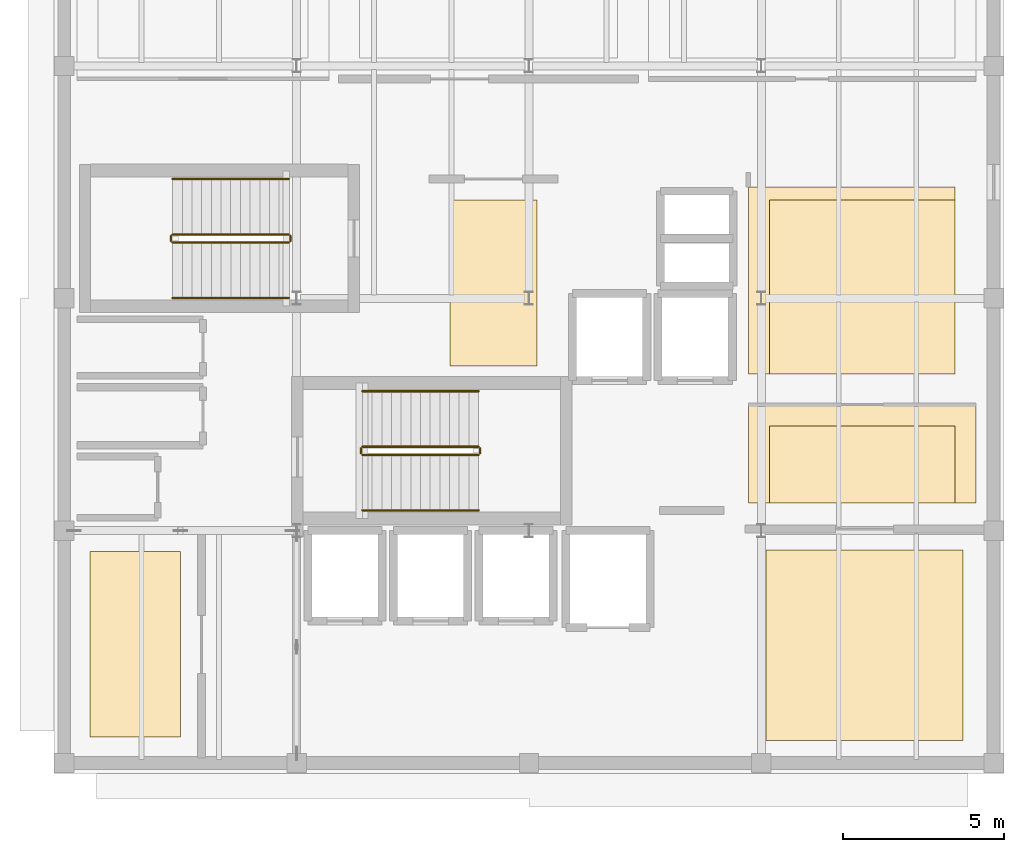
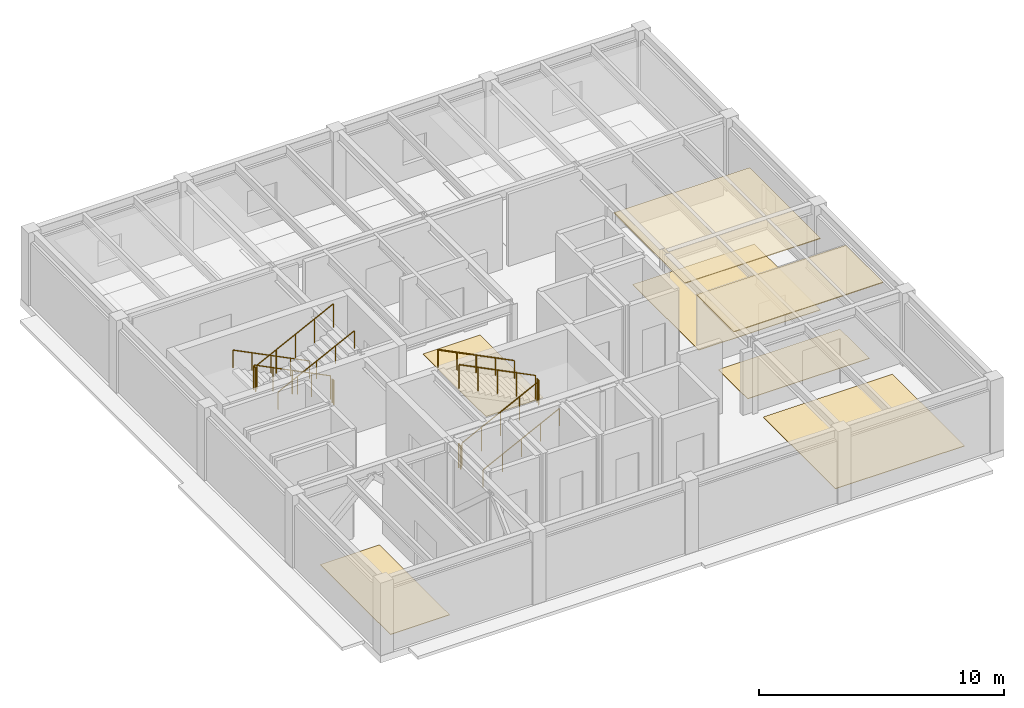
# One storey, part 7 of 8: 12 railings, 7 coverings.
"""IFC4 building model written with IfcOpenShell, lengths in metres."""

from ifc_helpers import new_model, si_unit, direction, frame, origin, origin_2d, place, context, subcontext, project, spatial, polyline, circle, outline, extrude, material, layer, layer_set, type_object, element, save


model = new_model("IFC4")

# Units and contexts
model_context = context("Model", 3, precision=1e-05, world=origin(), true_north=direction((0.0, 1.0)))
body_context = subcontext(model_context, "Body", "Model", "MODEL_VIEW")
ifc_project = project(units=[si_unit("LENGTHUNIT", "METRE"), si_unit("AREAUNIT", "SQUARE_METRE"), si_unit("VOLUMEUNIT", "CUBIC_METRE"), si_unit("PLANEANGLEUNIT", "RADIAN"), si_unit("MASSUNIT", "GRAM", prefix="KILO")], contexts=[model_context])

# Site, building, storey
site_placement = place(None, origin())
site = spatial("IfcSite", under=ifc_project, at=site_placement, CompositionType="ELEMENT")
building_placement = place(site_placement, origin())
building = spatial("IfcBuilding", under=site, at=building_placement, Name="Kandorven Conservatory and Botanical Research Centre", CompositionType="ELEMENT")
storey_placement = place(building_placement, frame((0.0, 0.0, 36.60009765625)))
storey = spatial("IfcBuildingStorey", under=building, at=storey_placement, Name="L09", CompositionType="ELEMENT", Elevation=36.60009765625)

# Coverings
ifc_material_1 = material(Name="Perforated mineral-fibre acoustic ceiling tile", Category="gypsum")
ifc_layer_1 = layer(ifc_material_1, 0.0400390625)
ifc_layer_set_1 = layer_set([ifc_layer_1], Name="Perforated mineral-fibre acoustic ceiling tile")
covering_type_1 = type_object("IfcCoveringType", Name="Cov_Ceiling_1", PredefinedType="CEILING", material=ifc_layer_set_1)
covering_1_placement = place(storey_placement, frame((0.0, 0.0, 3.559814453125)))
element("IfcCovering", 1, at=covering_1_placement, inside=storey, type_object=covering_type_1, Name="Suspended acoustic ceiling CLG-01 (Flora Taxonomy Microscopy Laboratory L09)", PredefinedType="CEILING", context=body_context, shape_type="SweptSolid", body=[
    extrude(outline(polyline([(27.199951171875, 14.050048828125), (34.25, 14.050048828125), (34.25, 17.10009765625), (27.199951171875, 17.10009765625), (27.199951171875, 14.050048828125)])), origin(), (0.0, 0.0, 1.0), 0.0400390625),
])
covering_2_placement = place(storey_placement, frame((0.0, 0.0, 3.559814453125)))
element("IfcCovering", 2, at=covering_2_placement, inside=storey, type_object=covering_type_1, Name="Suspended acoustic ceiling CLG-01 (Herbarium Digitisation and Imaging Studio L09)", PredefinedType="CEILING", context=body_context, shape_type="SweptSolid", body=[
    extrude(outline(polyline([(27.199951171875, 18.050048828125), (33.60009765625, 18.050048828125), (33.60009765625, 23.85009765625), (27.199951171875, 23.85009765625), (27.199951171875, 18.050048828125)])), origin(), (0.0, 0.0, 1.0), 0.0400390625),
])
ifc_material_2 = material(Name="Honed Kota stone and epoxy laboratory flooring", Category="masonry")
ifc_layer_2 = layer(ifc_material_2, 0.02490234375)
ifc_layer_set_2 = layer_set([ifc_layer_2], Name="Honed Kota stone and epoxy laboratory flooring")
covering_type_2 = type_object("IfcCoveringType", Name="Cov_Flooring_1", PredefinedType="FLOORING", material=ifc_layer_set_2)
covering_3_placement = place(storey_placement, origin())
element("IfcCovering", 3, at=covering_3_placement, inside=storey, type_object=covering_type_2, Name="Floor finish FLR-01 (Herbarium Bryophyte Collection Vault L09)", PredefinedType="FLOORING", context=body_context, shape_type="SweptSolid", body=[
    extrude(outline(polyline([(17.949951171875, 18.300048828125), (20.64990234375, 18.300048828125), (20.64990234375, 23.449951171875), (17.949951171875, 23.449951171875), (17.949951171875, 18.300048828125)])), origin(), (0.0, 0.0, 1.0), 0.02490234375),
])
covering_4_placement = place(storey_placement, origin())
element("IfcCovering", 4, at=covering_4_placement, inside=storey, type_object=covering_type_2, Name="Floor finish FLR-01 (Flora Taxonomy Microscopy Laboratory L09)", PredefinedType="FLOORING", context=body_context, shape_type="SweptSolid", body=[
    extrude(outline(polyline([(27.85009765625, 14.050048828125), (33.60009765625, 14.050048828125), (33.60009765625, 16.449951171875), (27.85009765625, 16.449951171875), (27.85009765625, 14.050048828125)])), origin(), (0.0, 0.0, 1.0), 0.02490234375),
])
covering_5_placement = place(storey_placement, origin())
element("IfcCovering", 5, at=covering_5_placement, inside=storey, type_object=covering_type_2, Name="Floor finish FLR-01 (Herbarium Type Specimen Vault L09)", PredefinedType="FLOORING", context=body_context, shape_type="SweptSolid", body=[
    extrude(outline(polyline([(6.800048828125, 6.800048828125), (9.60009765625, 6.800048828125), (9.60009765625, 12.550048828125), (6.800048828125, 12.550048828125), (6.800048828125, 6.800048828125)])), origin(), (0.0, 0.0, 1.0), 0.02490234375),
])
covering_6_placement = place(storey_placement, origin())
element("IfcCovering", 6, at=covering_6_placement, inside=storey, type_object=covering_type_2, Name="Floor finish FLR-01 (Compact Mobile Shelving Herbarium Vault)", PredefinedType="FLOORING", context=body_context, shape_type="SweptSolid", body=[
    extrude(outline(polyline([(27.75, 6.699951171875), (33.85009765625, 6.699951171875), (33.85009765625, 12.60009765625), (27.75, 12.60009765625), (27.75, 6.699951171875)])), origin(), (0.0, 0.0, 1.0), 0.02490234375),
])
covering_7_placement = place(storey_placement, origin())
element("IfcCovering", 7, at=covering_7_placement, inside=storey, type_object=covering_type_2, Name="Floor finish FLR-01 (Herbarium Digitisation and Imaging Studio L09)", PredefinedType="FLOORING", context=body_context, shape_type="SweptSolid", body=[
    extrude(outline(polyline([(27.85009765625, 18.050048828125), (33.60009765625, 18.050048828125), (33.60009765625, 23.449951171875), (27.85009765625, 23.449951171875), (27.85009765625, 18.050048828125)])), origin(), (0.0, 0.0, 1.0), 0.02490234375),
])

# Railings
ifc_material_3 = material(Name="Steel S355 (IS 2062 E350)", Category="steel")
railing_type_1 = type_object("IfcRailingType", Name="StairGuard_1150", PredefinedType="BALUSTRADE", material=ifc_material_3)
railing_1_placement = place(storey_placement, frame((15.239990234375, 15.550048828125, 0.14990234375)))
element("IfcRailing", 8, at=railing_1_placement, inside=storey, type_object=railing_type_1, Name="L09 ST-T1 stair guard 1", PredefinedType="BALUSTRADE", context=body_context, shape_type="SweptSolid", body=[
    extrude(circle(Radius=0.02392578125, at=origin_2d()), frame((0.0, 0.0, 1.17578125), z_axis=(0.894427191, 0.0, 0.4472135955), x_axis=(0.0, 1.0, 0.0)), (0.0, 0.0, 1.0), 4.025146484375),
    extrude(circle(Radius=0.02099609375, at=origin_2d()), origin(), (0.0, 0.0, 1.0), 1.15185546875),
    extrude(circle(Radius=0.02099609375, at=origin_2d()), frame((0.89990234375, 0.0, 0.449951171875)), (0.0, 0.0, 1.0), 1.15185546875),
    extrude(circle(Radius=0.02099609375, at=origin_2d()), frame((1.800048828125, 0.0, 0.89990234375)), (0.0, 0.0, 1.0), 1.15185546875),
    extrude(circle(Radius=0.02099609375, at=origin_2d()), frame((2.7001953125, 0.0, 1.35009765625)), (0.0, 0.0, 1.0), 1.15185546875),
    extrude(circle(Radius=0.02099609375, at=origin_2d()), frame((3.60009765625, 0.0, 1.800048828125)), (0.0, 0.0, 1.0), 1.15185546875),
])
railing_2_placement = place(storey_placement, frame((18.889892578125, 15.60009765625, 1.949951171875)))
element("IfcRailing", 9, at=railing_2_placement, inside=storey, type_object=railing_type_1, Name="L09 ST-T1 stair guard 2", PredefinedType="BALUSTRADE", context=body_context, shape_type="SweptSolid", body=[
    extrude(circle(Radius=0.02392578125, at=origin_2d()), frame((0.0, 0.0, 1.17578125), z_axis=(0.0, 1.0, 0.0), x_axis=(-1.0, 0.0, 0.0)), (0.0, 0.0, 1.0), 0.14990234375),
    extrude(circle(Radius=0.02099609375, at=origin_2d()), origin(), (0.0, 0.0, 1.0), 1.15185546875),
    extrude(circle(Radius=0.02099609375, at=origin_2d()), frame((0.0, 0.14990234375, 0.0)), (0.0, 0.0, 1.0), 1.15185546875),
])
railing_3_placement = place(storey_placement, frame((18.840087890625, 15.800048828125, 2.099853515625)))
element("IfcRailing", 10, at=railing_3_placement, inside=storey, type_object=railing_type_1, Name="L09 ST-T1 stair guard 3", PredefinedType="BALUSTRADE", context=body_context, shape_type="SweptSolid", body=[
    extrude(circle(Radius=0.02392578125, at=origin_2d()), frame((0.0, 0.0, 1.17578125), z_axis=(-0.894427191, 0.0, 0.4472135955), x_axis=(0.0, -1.0, 0.0)), (0.0, 0.0, 1.0), 4.025146484375),
    extrude(circle(Radius=0.02099609375, at=origin_2d()), origin(), (0.0, 0.0, 1.0), 1.15185546875),
    extrude(circle(Radius=0.02099609375, at=origin_2d()), frame((-0.89990234375, 0.0, 0.449951171875)), (0.0, 0.0, 1.0), 1.15185546875),
    extrude(circle(Radius=0.02099609375, at=origin_2d()), frame((-1.800048828125, 0.0, 0.89990234375)), (0.0, 0.0, 1.0), 1.15185546875),
    extrude(circle(Radius=0.02099609375, at=origin_2d()), frame((-2.7001953125, 0.0, 1.35009765625)), (0.0, 0.0, 1.0), 1.15185546875),
    extrude(circle(Radius=0.02099609375, at=origin_2d()), frame((-3.60009765625, 0.0, 1.800048828125)), (0.0, 0.0, 1.0), 1.15185546875),
])
railing_4_placement = place(storey_placement, frame((15.18994140625, 15.60009765625, 0.0)))
element("IfcRailing", 11, at=railing_4_placement, inside=storey, type_object=railing_type_1, Name="L09 ST-T1 stair guard 4", PredefinedType="BALUSTRADE", context=body_context, shape_type="SweptSolid", body=[
    extrude(circle(Radius=0.02392578125, at=origin_2d()), frame((0.0, 0.0, 1.17578125), z_axis=(0.0, 1.0, 0.0), x_axis=(-1.0, 0.0, 0.0)), (0.0, 0.0, 1.0), 0.14990234375),
    extrude(circle(Radius=0.02099609375, at=origin_2d()), origin(), (0.0, 0.0, 1.0), 1.15185546875),
    extrude(circle(Radius=0.02099609375, at=origin_2d()), frame((0.0, 0.14990234375, 0.0)), (0.0, 0.0, 1.0), 1.15185546875),
])
railing_5_placement = place(storey_placement, frame((12.9599609375, 22.3798828125, 0.14990234375)))
element("IfcRailing", 12, at=railing_5_placement, inside=storey, type_object=railing_type_1, Name="L09 ST-T2 stair guard 1", PredefinedType="BALUSTRADE", context=body_context, shape_type="SweptSolid", body=[
    extrude(circle(Radius=0.02392578125, at=origin_2d()), frame((0.0, 0.0, 1.17578125), z_axis=(-0.894415058897, 0.0, 0.447237858884), x_axis=(0.0, -1.0, 0.0)), (0.0, 0.0, 1.0), 4.02490234375),
    extrude(circle(Radius=0.02099609375, at=origin_2d()), origin(), (0.0, 0.0, 1.0), 1.15185546875),
    extrude(circle(Radius=0.02099609375, at=origin_2d()), frame((-0.89990234375, 0.0, 0.449951171875)), (0.0, 0.0, 1.0), 1.15185546875),
    extrude(circle(Radius=0.02099609375, at=origin_2d()), frame((-1.7998046875, 0.0, 0.89990234375)), (0.0, 0.0, 1.0), 1.15185546875),
    extrude(circle(Radius=0.02099609375, at=origin_2d()), frame((-2.699951171875, 0.0, 1.35009765625)), (0.0, 0.0, 1.0), 1.15185546875),
    extrude(circle(Radius=0.02099609375, at=origin_2d()), frame((-3.599853515625, 0.0, 1.800048828125)), (0.0, 0.0, 1.0), 1.15185546875),
])
railing_6_placement = place(storey_placement, frame((9.31005859375, 22.330078125, 1.949951171875)))
element("IfcRailing", 13, at=railing_6_placement, inside=storey, type_object=railing_type_1, Name="L09 ST-T2 stair guard 2", PredefinedType="BALUSTRADE", context=body_context, shape_type="SweptSolid", body=[
    extrude(circle(Radius=0.02392578125, at=origin_2d()), frame((0.0, 0.0, 1.17578125), z_axis=(0.0, -1.0, 0.0), x_axis=(1.0, 0.0, 0.0)), (0.0, 0.0, 1.0), 0.150146484375),
    extrude(circle(Radius=0.02099609375, at=origin_2d()), origin(), (0.0, 0.0, 1.0), 1.15185546875),
    extrude(circle(Radius=0.02099609375, at=origin_2d()), frame((0.0, -0.150146484375, 0.0)), (0.0, 0.0, 1.0), 1.15185546875),
])
railing_7_placement = place(storey_placement, frame((9.360107421875, 22.1298828125, 2.099853515625)))
element("IfcRailing", 14, at=railing_7_placement, inside=storey, type_object=railing_type_1, Name="L09 ST-T2 stair guard 3", PredefinedType="BALUSTRADE", context=body_context, shape_type="SweptSolid", body=[
    extrude(circle(Radius=0.02392578125, at=origin_2d()), frame((0.0, 0.0, 1.17578125), z_axis=(0.894415058897, 0.0, 0.447237858884), x_axis=(0.0, 1.0, 0.0)), (0.0, 0.0, 1.0), 4.02490234375),
    extrude(circle(Radius=0.02099609375, at=origin_2d()), origin(), (0.0, 0.0, 1.0), 1.15185546875),
    extrude(circle(Radius=0.02099609375, at=origin_2d()), frame((0.89990234375, 0.0, 0.449951171875)), (0.0, 0.0, 1.0), 1.15185546875),
    extrude(circle(Radius=0.02099609375, at=origin_2d()), frame((1.7998046875, 0.0, 0.89990234375)), (0.0, 0.0, 1.0), 1.15185546875),
    extrude(circle(Radius=0.02099609375, at=origin_2d()), frame((2.699951171875, 0.0, 1.35009765625)), (0.0, 0.0, 1.0), 1.15185546875),
    extrude(circle(Radius=0.02099609375, at=origin_2d()), frame((3.599853515625, 0.0, 1.800048828125)), (0.0, 0.0, 1.0), 1.15185546875),
])
railing_8_placement = place(storey_placement, frame((13.010009765625, 22.330078125, 0.0)))
element("IfcRailing", 15, at=railing_8_placement, inside=storey, type_object=railing_type_1, Name="L09 ST-T2 stair guard 4", PredefinedType="BALUSTRADE", context=body_context, shape_type="SweptSolid", body=[
    extrude(circle(Radius=0.02392578125, at=origin_2d()), frame((0.0, 0.0, 1.17578125), z_axis=(0.0, -1.0, 0.0), x_axis=(1.0, 0.0, 0.0)), (0.0, 0.0, 1.0), 0.150146484375),
    extrude(circle(Radius=0.02099609375, at=origin_2d()), origin(), (0.0, 0.0, 1.0), 1.15185546875),
    extrude(circle(Radius=0.02099609375, at=origin_2d()), frame((0.0, -0.150146484375, 0.0)), (0.0, 0.0, 1.0), 1.15185546875),
])
ifc_material_4 = material(Name="Steel S355 (IS 2062 E350)", Category="steel")
railing_type_2 = type_object("IfcRailingType", Name="StairHandrail_900", PredefinedType="HANDRAIL", material=ifc_material_4)
railing_9_placement = place(storey_placement, frame((15.239990234375, 13.830078125, 0.14990234375)))
element("IfcRailing", 16, at=railing_9_placement, inside=storey, type_object=railing_type_2, Name="L09 ST-T1 stair handrail 1", PredefinedType="HANDRAIL", context=body_context, shape_type="SweptSolid", body=[
    extrude(circle(Radius=0.02392578125, at=origin_2d()), frame((0.0, 0.0, 0.8759765625), z_axis=(0.894427191, 0.0, 0.4472135955), x_axis=(0.0, 1.0, 0.0)), (0.0, 0.0, 1.0), 4.025146484375),
    extrude(circle(Radius=0.02099609375, at=origin_2d()), origin(), (0.0, 0.0, 1.0), 0.851806640625),
    extrude(circle(Radius=0.02099609375, at=origin_2d()), frame((0.89990234375, 0.0, 0.449951171875)), (0.0, 0.0, 1.0), 0.851806640625),
    extrude(circle(Radius=0.02099609375, at=origin_2d()), frame((1.800048828125, 0.0, 0.89990234375)), (0.0, 0.0, 1.0), 0.851806640625),
    extrude(circle(Radius=0.02099609375, at=origin_2d()), frame((2.7001953125, 0.0, 1.35009765625)), (0.0, 0.0, 1.0), 0.851806640625),
    extrude(circle(Radius=0.02099609375, at=origin_2d()), frame((3.60009765625, 0.0, 1.800048828125)), (0.0, 0.0, 1.0), 0.851806640625),
])
railing_10_placement = place(storey_placement, frame((18.840087890625, 17.52001953125, 2.099853515625)))
element("IfcRailing", 17, at=railing_10_placement, inside=storey, type_object=railing_type_2, Name="L09 ST-T1 stair handrail 2", PredefinedType="HANDRAIL", context=body_context, shape_type="SweptSolid", body=[
    extrude(circle(Radius=0.02392578125, at=origin_2d()), frame((0.0, 0.0, 0.8759765625), z_axis=(-0.894427191, 0.0, 0.4472135955), x_axis=(0.0, -1.0, 0.0)), (0.0, 0.0, 1.0), 4.025146484375),
    extrude(circle(Radius=0.02099609375, at=origin_2d()), origin(), (0.0, 0.0, 1.0), 0.851806640625),
    extrude(circle(Radius=0.02099609375, at=origin_2d()), frame((-0.89990234375, 0.0, 0.449951171875)), (0.0, 0.0, 1.0), 0.851806640625),
    extrude(circle(Radius=0.02099609375, at=origin_2d()), frame((-1.800048828125, 0.0, 0.89990234375)), (0.0, 0.0, 1.0), 0.851806640625),
    extrude(circle(Radius=0.02099609375, at=origin_2d()), frame((-2.7001953125, 0.0, 1.35009765625)), (0.0, 0.0, 1.0), 0.851806640625),
    extrude(circle(Radius=0.02099609375, at=origin_2d()), frame((-3.60009765625, 0.0, 1.800048828125)), (0.0, 0.0, 1.0), 0.851806640625),
])
railing_11_placement = place(storey_placement, frame((12.9599609375, 24.10009765625, 0.14990234375)))
element("IfcRailing", 18, at=railing_11_placement, inside=storey, type_object=railing_type_2, Name="L09 ST-T2 stair handrail 1", PredefinedType="HANDRAIL", context=body_context, shape_type="SweptSolid", body=[
    extrude(circle(Radius=0.02392578125, at=origin_2d()), frame((0.0, 0.0, 0.8759765625), z_axis=(-0.894415058897, 0.0, 0.447237858884), x_axis=(0.0, -1.0, 0.0)), (0.0, 0.0, 1.0), 4.02490234375),
    extrude(circle(Radius=0.02099609375, at=origin_2d()), origin(), (0.0, 0.0, 1.0), 0.851806640625),
    extrude(circle(Radius=0.02099609375, at=origin_2d()), frame((-0.89990234375, 0.0, 0.449951171875)), (0.0, 0.0, 1.0), 0.851806640625),
    extrude(circle(Radius=0.02099609375, at=origin_2d()), frame((-1.7998046875, 0.0, 0.89990234375)), (0.0, 0.0, 1.0), 0.851806640625),
    extrude(circle(Radius=0.02099609375, at=origin_2d()), frame((-2.699951171875, 0.0, 1.35009765625)), (0.0, 0.0, 1.0), 0.851806640625),
    extrude(circle(Radius=0.02099609375, at=origin_2d()), frame((-3.599853515625, 0.0, 1.800048828125)), (0.0, 0.0, 1.0), 0.851806640625),
])
railing_12_placement = place(storey_placement, frame((9.360107421875, 20.409912109375, 2.099853515625)))
element("IfcRailing", 19, at=railing_12_placement, inside=storey, type_object=railing_type_2, Name="L09 ST-T2 stair handrail 2", PredefinedType="HANDRAIL", context=body_context, shape_type="SweptSolid", body=[
    extrude(circle(Radius=0.02392578125, at=origin_2d()), frame((0.0, 0.0, 0.8759765625), z_axis=(0.894415058897, 0.0, 0.447237858884), x_axis=(0.0, 1.0, 0.0)), (0.0, 0.0, 1.0), 4.02490234375),
    extrude(circle(Radius=0.02099609375, at=origin_2d()), origin(), (0.0, 0.0, 1.0), 0.851806640625),
    extrude(circle(Radius=0.02099609375, at=origin_2d()), frame((0.89990234375, 0.0, 0.449951171875)), (0.0, 0.0, 1.0), 0.851806640625),
    extrude(circle(Radius=0.02099609375, at=origin_2d()), frame((1.7998046875, 0.0, 0.89990234375)), (0.0, 0.0, 1.0), 0.851806640625),
    extrude(circle(Radius=0.02099609375, at=origin_2d()), frame((2.699951171875, 0.0, 1.35009765625)), (0.0, 0.0, 1.0), 0.851806640625),
    extrude(circle(Radius=0.02099609375, at=origin_2d()), frame((3.599853515625, 0.0, 1.800048828125)), (0.0, 0.0, 1.0), 0.851806640625),
])

save(model, "model.ifc")
